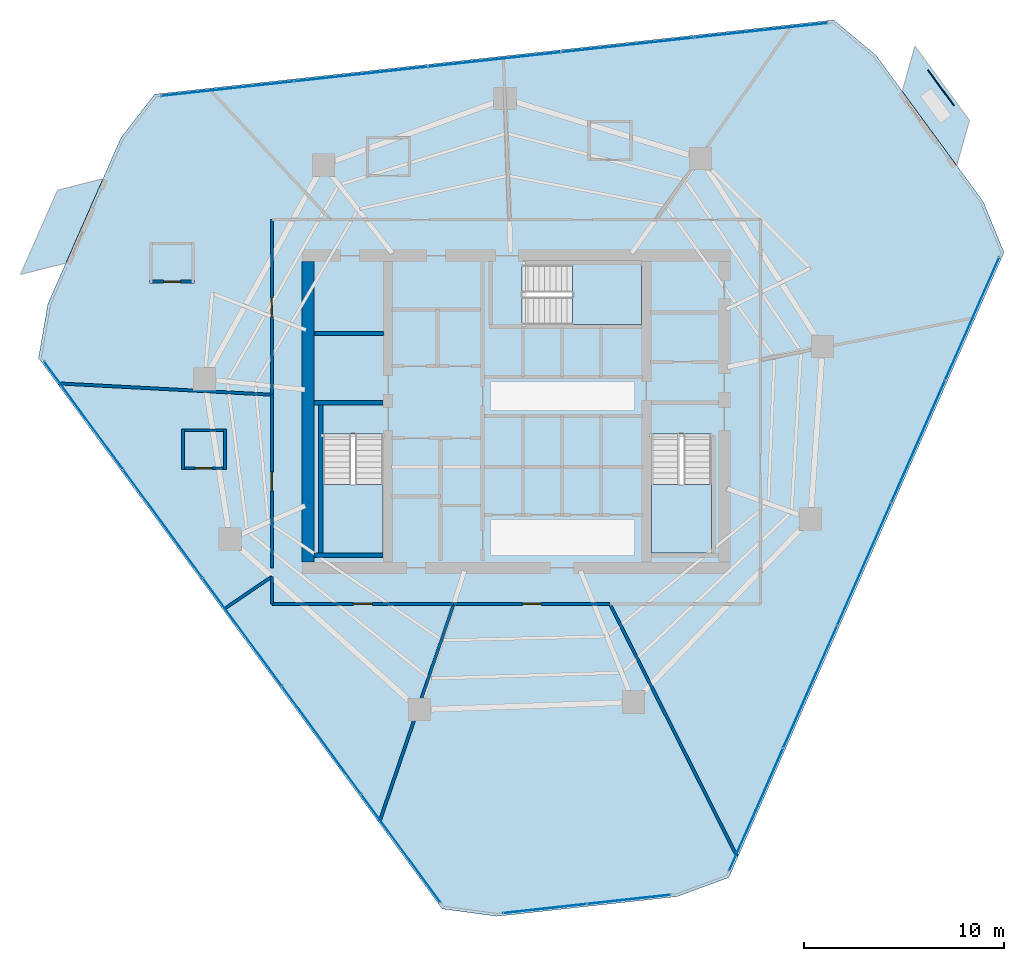
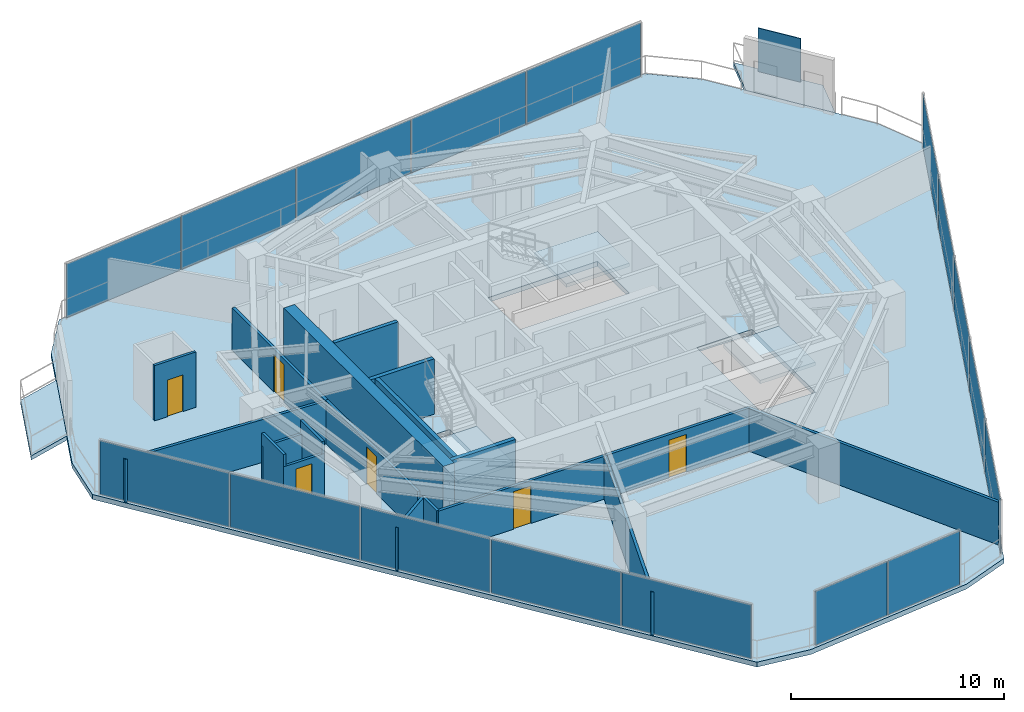
# One storey, part 24 of 30: 19 walls, 18 plates, 6 doors, 6 slabs, 6 openings, 7 elements without a shape of their own.
"""IFC4 building model written with IfcOpenShell, lengths in metres."""

import ifcopenshell
import ifcopenshell.guid

model = None  # the IFC model being written
_history = None  # IfcOwnerHistory: only IFC2X3 demands one
_inside = {}  # id of a spatial element -> (the spatial element, [elements in it])
_under = {}  # id of a project, library or spatial element -> (it, [spatial elements below it])
_declared = {}  # id of a project -> (the project, [libraries it declares])
_typed = {}  # id of a type object -> (the type object, [elements of that type])
_made_of = {}  # id of a material, layer set ... -> (it, [elements and type objects made of it])


def new_model(schema):
    """Start an empty IFC model of exactly this schema.

    Asked for "IFC4X3", IfcOpenShell would pick the latest addendum, in which some entities
    have other attributes; the version numbers below select the first issue.
    IFC2X3 requires an IfcOwnerHistory on every rooted entity: one is made here for all.
    """
    global model, _history
    if schema == "IFC4X3":
        model = ifcopenshell.file(schema_version=(4, 3, 0, 0))
    else:
        model = ifcopenshell.file(schema=schema)
    _inside.clear()
    _under.clear()
    _declared.clear()
    _typed.clear()
    _made_of.clear()
    _history = None
    if model.schema == "IFC2X3":
        org = make("IfcOrganization", Name="unknown")
        user = make(
            "IfcPersonAndOrganization",
            ThePerson=make("IfcPerson", FamilyName="unknown"),
            TheOrganization=org,
        )
        app = make(
            "IfcApplication",
            ApplicationDeveloper=org,
            Version="unknown",
            ApplicationFullName="unknown",
            ApplicationIdentifier="unknown",
        )
        _history = make(
            "IfcOwnerHistory",
            OwningUser=user,
            OwningApplication=app,
            ChangeAction="ADDED",
            CreationDate=0,
        )
    return model


def make(cls, **values):
    """One entity of the class cls with the attributes given. An attribute that is None is left unset."""
    return model.create_entity(
        cls, **{name: value for name, value in values.items() if value is not None}
    )


def rooted(cls, **values):
    """An entity with a GlobalId (a new one), such as an element, a storey or a relation."""
    return make(cls, GlobalId=ifcopenshell.guid.new(), OwnerHistory=_history, **values)


def si_unit(unit_type, name, prefix=None):
    """IfcSIUnit, for example si_unit("LENGTHUNIT", "METRE", prefix="MILLI")."""
    return make("IfcSIUnit", UnitType=unit_type, Prefix=prefix, Name=name)


def assignment(units):
    """IfcUnitAssignment: the units of a project."""
    return None if units is None else make("IfcUnitAssignment", Units=units)


def point(xyz):
    """IfcCartesianPoint."""
    return None if xyz is None else make("IfcCartesianPoint", Coordinates=xyz)


def direction(xyz):
    """IfcDirection."""
    return None if xyz is None else make("IfcDirection", DirectionRatios=xyz)


def frame(location, z_axis=None, x_axis=None):
    """IfcAxis2Placement3D, a coordinate frame: its origin and axes. An axis left out is left unset."""
    return make(
        "IfcAxis2Placement3D",
        Location=point(location),
        Axis=direction(z_axis),
        RefDirection=direction(x_axis),
    )


def frame_2d(location, x_axis=None):
    """IfcAxis2Placement2D, a coordinate frame in the plane: its origin and x axis."""
    return make(
        "IfcAxis2Placement2D", Location=point(location), RefDirection=direction(x_axis)
    )


def origin():
    """The frame at (0, 0, 0) with its axes left unset."""
    return frame((0.0, 0.0, 0.0))


def origin_2d():
    """The frame at (0, 0) in the plane with its x axis left unset."""
    return frame_2d((0.0, 0.0))


def place(relative_to, where):
    """IfcLocalPlacement: puts the frame where relative to a parent placement (None: the world)."""
    return make(
        "IfcLocalPlacement", PlacementRelTo=relative_to, RelativePlacement=where
    )


def context(
    kind, dimensions, precision=None, world=None, true_north=None, identifier=None
):
    """IfcGeometricRepresentationContext, for example the 3D "Model" context."""
    return make(
        "IfcGeometricRepresentationContext",
        ContextIdentifier=identifier,
        ContextType=kind,
        CoordinateSpaceDimension=dimensions,
        Precision=precision,
        WorldCoordinateSystem=world,
        TrueNorth=true_north,
    )


def subcontext(parent, identifier, kind, view, scale=None):
    """IfcGeometricRepresentationSubContext, for example "Body" below "Model"."""
    return make(
        "IfcGeometricRepresentationSubContext",
        ContextIdentifier=identifier,
        ContextType=kind,
        ParentContext=parent,
        TargetScale=scale,
        TargetView=view,
    )


def project(units=None, contexts=None):
    """IfcProject with its units and contexts."""
    return rooted(
        "IfcProject",
        Name="project",
        RepresentationContexts=contexts,
        UnitsInContext=assignment(units),
    )


def spatial(cls, under=None, at=None, **own):
    """A site, building, storey or space (cls), placed at a placement, below another one or the project."""
    s = rooted(cls, ObjectPlacement=at, **own)
    if under is not None:
        _under.setdefault(under.id(), (under, []))[1].append(s)
    return s


def polyline(points):
    """IfcPolyline through the points."""
    return make("IfcPolyline", Points=[point(p) for p in points])


def profile(cls, at=None, kind="AREA", **sizes):
    """A parametric profile (cls). Its sizes go by their IFC names, for example OverallWidth=200.0."""
    return make(cls, ProfileType=kind, Position=at, **sizes)


def rectangle(**sizes):
    """IfcRectangleProfileDef."""
    return profile("IfcRectangleProfileDef", **sizes)


def outline(outer, holes=None, kind="AREA"):
    """IfcArbitraryClosedProfileDef: a profile drawn as a closed curve; with holes, ...WithVoids."""
    if holes is None:
        return make("IfcArbitraryClosedProfileDef", ProfileType=kind, OuterCurve=outer)
    return make(
        "IfcArbitraryProfileDefWithVoids",
        ProfileType=kind,
        OuterCurve=outer,
        InnerCurves=holes,
    )


def extrude(swept, where, along, depth):
    """IfcExtrudedAreaSolid: the profile swept, set in the frame where, extruded along a direction by depth."""
    return make(
        "IfcExtrudedAreaSolid",
        SweptArea=swept,
        Position=where,
        ExtrudedDirection=direction(along),
        Depth=depth,
    )


def shape(context_of_items, identifier, shape_type, items):
    """IfcShapeRepresentation: the items that make up one representation, for example the "Body"."""
    return make(
        "IfcShapeRepresentation",
        ContextOfItems=context_of_items,
        RepresentationIdentifier=identifier,
        RepresentationType=shape_type,
        Items=items,
    )


def material(Name=None, Category=None):
    """IfcMaterial."""
    return make("IfcMaterial", Name=Name, Category=Category)


def layer(
    of_material, thickness, ventilated=None, Name=None, Category=None, Priority=None
):
    """IfcMaterialLayer: one layer of a wall or slab, of a material (None: an air gap)."""
    return make(
        "IfcMaterialLayer",
        Material=of_material,
        LayerThickness=thickness,
        IsVentilated=ventilated,
        Name=Name,
        Category=Category,
        Priority=Priority,
    )


def layer_set(layers, Name=None):
    """IfcMaterialLayerSet."""
    return make("IfcMaterialLayerSet", MaterialLayers=layers, LayerSetName=Name)


def made_of(thing, what):
    """Note that an element or type object is made of a material, layer set ...; save() writes the relation."""
    if what is not None:
        _made_of.setdefault(what.id(), (what, []))[1].append(thing)
    return thing


def type_object(cls, material=None, **own):
    """A type object (cls), such as IfcWallType, which elements share."""
    return made_of(rooted(cls, **own), material)


def element(
    cls,
    number,
    at=None,
    inside=None,
    cuts=None,
    type_object=None,
    material=None,
    context=None,
    identifier="Body",
    shape_type=None,
    held_by="IfcProductDefinitionShape",
    body=None,
    shapes=None,
    **own,
):
    """One element of the class cls, such as IfcWall. Its Tag is "e" and its number.

    at: its placement. inside: the storey or other place that contains it. cuts: it is an
    opening in that element (IfcRelVoidsElement). A single representation is given by context,
    identifier, shape_type and body (its items); several are given by shapes. held_by: the class
    of the entity that holds the representations. save() writes the other relations.
    """
    e = rooted(cls, Tag="e%d" % number, ObjectPlacement=at, **own)
    if body is not None:
        shapes = [shape(context, identifier, shape_type, body)]
    if shapes is not None:
        e.Representation = make(held_by, Representations=shapes)
    if inside is not None:
        _inside.setdefault(inside.id(), (inside, []))[1].append(e)
    if cuts is not None:
        rooted(
            "IfcRelVoidsElement", RelatingBuildingElement=cuts, RelatedOpeningElement=e
        )
    if type_object is not None:
        _typed.setdefault(type_object.id(), (type_object, []))[1].append(e)
    return made_of(e, material)


def fill(opening, filler):
    """IfcRelFillsElement: the door or window that sits in an opening."""
    return rooted(
        "IfcRelFillsElement",
        RelatingOpeningElement=opening,
        RelatedBuildingElement=filler,
    )


def aggregate(whole, parts):
    """IfcRelAggregates: a whole, such as a stair, and the parts it consists of."""
    return rooted("IfcRelAggregates", RelatingObject=whole, RelatedObjects=parts)


def save(model, path):
    """Write the relations noted so far, then the file.

    IfcRelAggregates (storeys below a building ...), IfcRelContainedInSpatialStructure (elements
    in a storey), IfcRelDefinesByType, IfcRelAssociatesMaterial and IfcRelDeclares: one each for
    every whole, place, type object, material and project.
    """
    for whole, parts in _under.values():
        aggregate(whole, parts)
    for where, things in _inside.values():
        rooted(
            "IfcRelContainedInSpatialStructure",
            RelatedElements=things,
            RelatingStructure=where,
        )
    for kind, things in _typed.values():
        rooted("IfcRelDefinesByType", RelatedObjects=things, RelatingType=kind)
    for what, things in _made_of.values():
        rooted("IfcRelAssociatesMaterial", RelatedObjects=things, RelatingMaterial=what)
    for by, libraries in _declared.values():
        rooted("IfcRelDeclares", RelatingContext=by, RelatedDefinitions=libraries)
    model.write(path)


model = new_model("IFC4")

# Units and contexts
model_context = context("Model", 3, precision=1e-05, world=origin(), true_north=direction((0.0, 1.0)))
body_context = subcontext(model_context, "Body", "Model", "MODEL_VIEW")
ifc_project = project(units=[si_unit("LENGTHUNIT", "METRE"), si_unit("AREAUNIT", "SQUARE_METRE"), si_unit("VOLUMEUNIT", "CUBIC_METRE"), si_unit("PLANEANGLEUNIT", "RADIAN"), si_unit("MASSUNIT", "GRAM", prefix="KILO")], contexts=[model_context])

# Site, building, storey
site_placement = place(None, origin())
site = spatial("IfcSite", under=ifc_project, at=site_placement, CompositionType="ELEMENT")
building_placement = place(site_placement, origin())
building = spatial("IfcBuilding", under=site, at=building_placement, Name="Qarnah Convention Tower", CompositionType="ELEMENT")
storey_placement = place(building_placement, frame((0.0, 0.0, 90.14990234375)))
storey = spatial("IfcBuildingStorey", under=building, at=storey_placement, Name="L23", CompositionType="ELEMENT", Elevation=90.14990234375)

# Curtain wall, plates
ifc_material_1 = material(Name="Tempered Low-E dark glass", Category="glass")
ifc_layer_1 = layer(ifc_material_1, 0.169921875)
ifc_layer_set_1 = layer_set([ifc_layer_1], Name="Tempered Low-E dark glass")
curtain_wall_type = type_object("IfcCurtainWallType", Name="CWS-02", PredefinedType="NOTDEFINED", material=ifc_layer_set_1)
curtain_wall_1_placement = place(storey_placement, origin())
curtain_wall_1 = element("IfcCurtainWall", 1, at=curtain_wall_1_placement, inside=storey, type_object=curtain_wall_type, Name="L23 unitised curtain wall CW-L23-F1", PredefinedType="NOTDEFINED")
ifc_layer_2 = layer(ifc_material_1, 0.030029296875)
ifc_layer_set_2 = layer_set([ifc_layer_2], Name="Tempered Low-E dark glass")
plate_type_1 = type_object("IfcPlateType", Name="PNL-T2", PredefinedType="CURTAIN_PANEL", material=ifc_layer_set_2)
plate_1_placement = place(storey_placement, frame((22.786865234375, 42.542236328125, 0.0400390625), z_axis=(0.0, 0.0, 1.0), x_axis=(0.994075420686, 0.10869249279, 0.0)))
plate_1 = element("IfcPlate", 2, at=plate_1_placement, type_object=plate_type_1, Name="CW-L23-F1 curtain panel 1.1", PredefinedType="CURTAIN_PANEL", context=body_context, shape_type="SweptSolid", body=[
    extrude(rectangle(XDim=6.623291015625, YDim=0.030029296875, at=origin_2d()), origin(), (0.0, 0.0, 1.0), 3.090087890625),
])
plate_2_placement = place(storey_placement, frame((29.450439453125, 43.27099609375, 0.0400390625), z_axis=(0.0, 0.0, 1.0), x_axis=(0.994075420686, 0.10869249279, 0.0)))
plate_2 = element("IfcPlate", 3, at=plate_2_placement, type_object=plate_type_1, Name="CW-L23-F1 curtain panel 2.1", PredefinedType="CURTAIN_PANEL", context=body_context, shape_type="SweptSolid", body=[
    extrude(rectangle(XDim=6.623291015625, YDim=0.030029296875, at=origin_2d()), origin(), (0.0, 0.0, 1.0), 3.090087890625),
])
plate_3_placement = place(storey_placement, frame((36.114013671875, 43.99951171875, 0.0400390625), z_axis=(0.0, 0.0, 1.0), x_axis=(0.994075420686, 0.10869249279, 0.0)))
plate_3 = element("IfcPlate", 4, at=plate_3_placement, type_object=plate_type_1, Name="CW-L23-F1 curtain panel 3.1", PredefinedType="CURTAIN_PANEL", context=body_context, shape_type="SweptSolid", body=[
    extrude(rectangle(XDim=6.623291015625, YDim=0.030029296875, at=origin_2d()), origin(), (0.0, 0.0, 1.0), 3.090087890625),
])
plate_4_placement = place(storey_placement, frame((42.777587890625, 44.72802734375, 0.0400390625), z_axis=(0.0, 0.0, 1.0), x_axis=(0.994075420686, 0.10869249279, 0.0)))
plate_4 = element("IfcPlate", 5, at=plate_4_placement, type_object=plate_type_1, Name="CW-L23-F1 curtain panel 4.1", PredefinedType="CURTAIN_PANEL", context=body_context, shape_type="SweptSolid", body=[
    extrude(rectangle(XDim=6.623291015625, YDim=0.030029296875, at=origin_2d()), origin(), (0.0, 0.0, 1.0), 3.090087890625),
])
plate_5_placement = place(storey_placement, frame((49.441162109375, 45.456787109375, 0.0400390625), z_axis=(0.0, 0.0, 1.0), x_axis=(0.994075420686, 0.10869249279, 0.0)))
plate_5 = element("IfcPlate", 6, at=plate_5_placement, type_object=plate_type_1, Name="CW-L23-F1 curtain panel 5.1", PredefinedType="CURTAIN_PANEL", context=body_context, shape_type="SweptSolid", body=[
    extrude(rectangle(XDim=6.623291015625, YDim=0.030029296875, at=origin_2d()), origin(), (0.0, 0.0, 1.0), 3.090087890625),
])
aggregate(curtain_wall_1, [plate_1, plate_2, plate_3, plate_4, plate_5])

curtain_wall_2_placement = place(storey_placement, origin())
curtain_wall_2 = element("IfcCurtainWall", 7, at=curtain_wall_2_placement, inside=storey, type_object=curtain_wall_type, Name="L23 unitised curtain wall CW-L23-F2", PredefinedType="NOTDEFINED")
plate_6_placement = place(storey_placement, frame((59.989501953125, 31.064453125, 0.0400390625), z_axis=(0.0, 0.0, 1.0), x_axis=(-0.402913592041, -0.915238022237, 0.0)))
plate_6 = element("IfcPlate", 8, at=plate_6_placement, type_object=plate_type_1, Name="CW-L23-F2 curtain panel 1.1", PredefinedType="CURTAIN_PANEL", context=body_context, shape_type="SweptSolid", body=[
    extrude(rectangle(XDim=6.623291015625, YDim=0.030029296875, at=origin_2d()), origin(), (0.0, 0.0, 1.0), 3.090087890625),
])
plate_7_placement = place(storey_placement, frame((57.288818359375, 24.929443359375, 0.0400390625), z_axis=(0.0, 0.0, 1.0), x_axis=(-0.402913592041, -0.915238022237, 0.0)))
plate_7 = element("IfcPlate", 9, at=plate_7_placement, type_object=plate_type_1, Name="CW-L23-F2 curtain panel 2.1", PredefinedType="CURTAIN_PANEL", context=body_context, shape_type="SweptSolid", body=[
    extrude(rectangle(XDim=6.623291015625, YDim=0.030029296875, at=origin_2d()), origin(), (0.0, 0.0, 1.0), 3.090087890625),
])
plate_8_placement = place(storey_placement, frame((54.587890625, 18.79443359375, 0.0400390625), z_axis=(0.0, 0.0, 1.0), x_axis=(-0.402913592041, -0.915238022237, 0.0)))
plate_8 = element("IfcPlate", 10, at=plate_8_placement, type_object=plate_type_1, Name="CW-L23-F2 curtain panel 3.1", PredefinedType="CURTAIN_PANEL", context=body_context, shape_type="SweptSolid", body=[
    extrude(rectangle(XDim=6.623291015625, YDim=0.030029296875, at=origin_2d()), origin(), (0.0, 0.0, 1.0), 3.090087890625),
])
plate_9_placement = place(storey_placement, frame((51.88720703125, 12.659423828125, 0.0400390625), z_axis=(0.0, 0.0, 1.0), x_axis=(-0.402913592041, -0.915238022237, 0.0)))
plate_9 = element("IfcPlate", 11, at=plate_9_placement, type_object=plate_type_1, Name="CW-L23-F2 curtain panel 4.1", PredefinedType="CURTAIN_PANEL", context=body_context, shape_type="SweptSolid", body=[
    extrude(rectangle(XDim=6.623291015625, YDim=0.030029296875, at=origin_2d()), origin(), (0.0, 0.0, 1.0), 3.090087890625),
])
plate_10_placement = place(storey_placement, frame((49.186279296875, 6.5244140625, 0.0400390625), z_axis=(0.0, 0.0, 1.0), x_axis=(-0.402913592041, -0.915238022237, 0.0)))
plate_10 = element("IfcPlate", 12, at=plate_10_placement, type_object=plate_type_1, Name="CW-L23-F2 curtain panel 5.1", PredefinedType="CURTAIN_PANEL", context=body_context, shape_type="SweptSolid", body=[
    extrude(rectangle(XDim=6.623291015625, YDim=0.030029296875, at=origin_2d()), origin(), (0.0, 0.0, 1.0), 3.090087890625),
])
aggregate(curtain_wall_2, [plate_6, plate_7, plate_8, plate_9, plate_10])

curtain_wall_3_placement = place(storey_placement, origin())
curtain_wall_3 = element("IfcCurtainWall", 13, at=curtain_wall_3_placement, inside=storey, type_object=curtain_wall_type, Name="L23 unitised curtain wall CW-L23-F3", PredefinedType="NOTDEFINED")
plate_11_placement = place(storey_placement, frame((31.44775390625, 4.585205078125, 0.0400390625), z_axis=(0.0, 0.0, 1.0), x_axis=(-0.591160568734, 0.806553892789, 0.0)))
plate_11 = element("IfcPlate", 14, at=plate_11_placement, type_object=plate_type_1, Name="CW-L23-F3 curtain panel 1.1", PredefinedType="CURTAIN_PANEL", context=body_context, shape_type="SweptSolid", body=[
    extrude(rectangle(XDim=6.623046875, YDim=0.030029296875, at=origin_2d()), origin(), (0.0, 0.0, 1.0), 3.090087890625),
])
plate_12_placement = place(storey_placement, frame((27.485107421875, 9.99169921875, 0.0400390625), z_axis=(0.0, 0.0, 1.0), x_axis=(-0.591160568734, 0.806553892789, 0.0)))
plate_12 = element("IfcPlate", 15, at=plate_12_placement, type_object=plate_type_1, Name="CW-L23-F3 curtain panel 2.1", PredefinedType="CURTAIN_PANEL", context=body_context, shape_type="SweptSolid", body=[
    extrude(rectangle(XDim=6.623046875, YDim=0.030029296875, at=origin_2d()), origin(), (0.0, 0.0, 1.0), 3.090087890625),
])
plate_13_placement = place(storey_placement, frame((23.5224609375, 15.39794921875, 0.0400390625), z_axis=(0.0, 0.0, 1.0), x_axis=(-0.591160568734, 0.806553892789, 0.0)))
plate_13 = element("IfcPlate", 16, at=plate_13_placement, type_object=plate_type_1, Name="CW-L23-F3 curtain panel 3.1", PredefinedType="CURTAIN_PANEL", context=body_context, shape_type="SweptSolid", body=[
    extrude(rectangle(XDim=6.623046875, YDim=0.030029296875, at=origin_2d()), origin(), (0.0, 0.0, 1.0), 3.090087890625),
])
plate_14_placement = place(storey_placement, frame((19.559814453125, 20.804443359375, 0.0400390625), z_axis=(0.0, 0.0, 1.0), x_axis=(-0.591160568734, 0.806553892789, 0.0)))
plate_14 = element("IfcPlate", 17, at=plate_14_placement, type_object=plate_type_1, Name="CW-L23-F3 curtain panel 4.1", PredefinedType="CURTAIN_PANEL", context=body_context, shape_type="SweptSolid", body=[
    extrude(rectangle(XDim=6.623046875, YDim=0.030029296875, at=origin_2d()), origin(), (0.0, 0.0, 1.0), 3.090087890625),
])
plate_15_placement = place(storey_placement, frame((15.597412109375, 26.210693359375, 0.0400390625), z_axis=(0.0, 0.0, 1.0), x_axis=(-0.591160568734, 0.806553892789, 0.0)))
plate_15 = element("IfcPlate", 18, at=plate_15_placement, type_object=plate_type_1, Name="CW-L23-F3 curtain panel 5.1", PredefinedType="CURTAIN_PANEL", context=body_context, shape_type="SweptSolid", body=[
    extrude(rectangle(XDim=6.623046875, YDim=0.030029296875, at=origin_2d()), origin(), (0.0, 0.0, 1.0), 3.090087890625),
])
aggregate(curtain_wall_3, [plate_11, plate_12, plate_13, plate_14, plate_15])

curtain_wall_4_placement = place(storey_placement, origin())
curtain_wall_4 = element("IfcCurtainWall", 19, at=curtain_wall_4_placement, inside=storey, type_object=curtain_wall_type, Name="L23 unitised curtain wall CW-L23-F4", PredefinedType="NOTDEFINED")
plate_16_placement = place(storey_placement, frame((42.830078125, 2.0400390625, 0.0400390625), z_axis=(0.0, 0.0, 1.0), x_axis=(-0.994072489394, -0.108719298329, 0.0)))
plate_16 = element("IfcPlate", 20, at=plate_16_placement, type_object=plate_type_1, Name="CW-L23-F4 curtain panel 1.1", PredefinedType="CURTAIN_PANEL", context=body_context, shape_type="SweptSolid", body=[
    extrude(rectangle(XDim=4.151123046875, YDim=0.030029296875, at=origin_2d()), origin(), (0.0, 0.0, 1.0), 3.090087890625),
])
plate_17_placement = place(storey_placement, frame((38.6240234375, 1.580078125, 0.0400390625), z_axis=(0.0, 0.0, 1.0), x_axis=(-0.994072489394, -0.108719298329, 0.0)))
plate_17 = element("IfcPlate", 21, at=plate_17_placement, type_object=plate_type_1, Name="CW-L23-F4 curtain panel 2.1", PredefinedType="CURTAIN_PANEL", context=body_context, shape_type="SweptSolid", body=[
    extrude(rectangle(XDim=4.151123046875, YDim=0.030029296875, at=origin_2d()), origin(), (0.0, 0.0, 1.0), 3.090087890625),
])
aggregate(curtain_wall_4, [plate_16, plate_17])

# Plate
ifc_material_2 = material(Name="Black anodised aluminium", Category="aluminium")
ifc_layer_3 = layer(ifc_material_2, 0.044921875)
ifc_layer_set_3 = layer_set([ifc_layer_3], Name="Black anodised aluminium")
plate_type_2 = type_object("IfcPlateType", Name="SCR-BAL-18", PredefinedType="USERDEFINED", material=ifc_layer_set_3)
plate_18_placement = place(storey_placement, frame((58.4189453125, 42.5849609375, 0.0), z_axis=(0.0, 0.0, 1.0), x_axis=(0.59102388645, -0.806654055742, 0.0)))
element("IfcPlate", 22, at=plate_18_placement, inside=storey, type_object=plate_type_2, Name="L23 perforated desert solar screen BAL-L23-C1", ObjectType="SCREEN", PredefinedType="USERDEFINED", context=body_context, shape_type="SweptSolid", body=[
    extrude(rectangle(XDim=2.199951171875, YDim=0.044921875, at=origin_2d()), origin(), (0.0, 0.0, 1.0), 2.5),
])

# Slabs
ifc_material_3 = material(Name="Concrete C45/55", Category="concrete")
ifc_layer_4 = layer(ifc_material_3, 0.239990234375)
ifc_layer_set_4 = layer_set([ifc_layer_4], Name="Concrete C45/55")
slab_type_1 = type_object("IfcSlabType", Name="SLB-BAL-240", PredefinedType="USERDEFINED", material=ifc_layer_set_4)
slab_1_placement = place(storey_placement, frame((0.0, 0.0, -0.239990234375)))
element("IfcSlab", 23, at=slab_1_placement, inside=storey, type_object=slab_type_1, Name="L23 cantilevered balcony slab BAL-L23-C1", ObjectType="BALCONY", PredefinedType="USERDEFINED", context=body_context, shape_type="SweptSolid", body=[
    extrude(outline(polyline([(57.125, 44.6708984375), (59.843994140625, 40.9599609375), (59.20703125, 38.701904296875), (56.487060546875, 42.412109375), (57.125, 44.6708984375)])), origin(), (0.0, 0.0, 1.0), 0.239990234375),
])
slab_2_placement = place(storey_placement, frame((0.0, 0.0, -0.239990234375)))
element("IfcSlab", 24, at=slab_2_placement, inside=storey, type_object=slab_type_1, Name="L23 cantilevered balcony slab BAL-L23-C2", ObjectType="BALCONY", PredefinedType="USERDEFINED", context=body_context, shape_type="SweptSolid", body=[
    extrude(outline(polyline([(12.43603515625, 33.258056640625), (14.2900390625, 37.468994140625), (16.56298828125, 38.0458984375), (14.7099609375, 33.8359375), (12.43603515625, 33.258056640625)])), origin(), (0.0, 0.0, 1.0), 0.239990234375),
])

# Stair, slab
ifc_material_4 = material(Name="Concrete C50/60", Category="concrete")
stair_type = type_object("IfcStairType", Name="STR-HTL", PredefinedType="HALF_TURN_STAIR", material=ifc_material_4)
stair_1_placement = place(storey_placement, origin())
stair_1 = element("IfcStair", 25, at=stair_1_placement, inside=storey, type_object=stair_type, Name="L23 Core exit stair ST-1", PredefinedType="HALF_TURN_STAIR")
ifc_layer_5 = layer(ifc_material_4, 0.199951171875)
ifc_layer_set_5 = layer_set([ifc_layer_5], Name="Concrete C50/60")
slab_type_2 = type_object("IfcSlabType", Name="SLB-LANDING-200", PredefinedType="LANDING", material=ifc_layer_set_5)
slab_3_placement = place(storey_placement, frame((0.0, 0.0, 1.525146484375)))
slab_3 = element("IfcSlab", 26, at=slab_3_placement, type_object=slab_type_2, Name="ST-1 landing 1", PredefinedType="LANDING", context=body_context, shape_type="SweptSolid", body=[
    extrude(outline(polyline([(27.550048828125, 22.780029296875), (27.550048828125, 19.35009765625), (30.550048828125, 19.35009765625), (30.550048828125, 22.780029296875), (27.550048828125, 22.780029296875)])), origin(), (0.0, 0.0, 1.0), 0.199951171875),
])
aggregate(stair_1, [slab_3])

stair_2_placement = place(storey_placement, origin())
stair_2 = element("IfcStair", 27, at=stair_2_placement, inside=storey, type_object=stair_type, Name="L23 Core exit stair ST-2", PredefinedType="HALF_TURN_STAIR")
slab_4_placement = place(storey_placement, frame((0.0, 0.0, 1.525146484375)))
slab_4 = element("IfcSlab", 28, at=slab_4_placement, type_object=slab_type_2, Name="ST-2 landing 1", PredefinedType="LANDING", context=body_context, shape_type="SweptSolid", body=[
    extrude(outline(polyline([(43.949951171875, 22.780029296875), (43.949951171875, 19.35009765625), (46.949951171875, 19.35009765625), (46.949951171875, 22.780029296875), (43.949951171875, 22.780029296875)])), origin(), (0.0, 0.0, 1.0), 0.199951171875),
])
aggregate(stair_2, [slab_4])

stair_3_placement = place(storey_placement, origin())
stair_3 = element("IfcStair", 29, at=stair_3_placement, inside=storey, type_object=stair_type, Name="L23 Core exit stair ST-3", PredefinedType="HALF_TURN_STAIR")
slab_5_placement = place(storey_placement, frame((0.0, 0.0, 1.525146484375)))
slab_5 = element("IfcSlab", 30, at=slab_5_placement, type_object=slab_type_2, Name="ST-3 landing 1", PredefinedType="LANDING", context=body_context, shape_type="SweptSolid", body=[
    extrude(outline(polyline([(40.02001953125, 30.75), (43.449951171875, 30.75), (43.449951171875, 33.75), (40.02001953125, 33.75), (40.02001953125, 30.75)])), origin(), (0.0, 0.0, 1.0), 0.199951171875),
])
aggregate(stair_3, [slab_5])

# Slab
ifc_layer_6 = layer(ifc_material_3, 0.280029296875)
ifc_layer_set_6 = layer_set([ifc_layer_6], Name="Concrete C45/55")
slab_type_3 = type_object("IfcSlabType", Name="SLB-TWR-280", PredefinedType="FLOOR", material=ifc_layer_set_6)
slab_6_placement = place(storey_placement, frame((0.0, 0.0, -0.27978515625)))
element("IfcSlab", 31, at=slab_6_placement, inside=storey, type_object=slab_type_3, Name="L23 structural floor slab", PredefinedType="FLOOR", context=body_context, shape_type="SweptSolid", body=[
    extrude(outline(polyline([(53.05810546875, 45.972900390625), (19.14404296875, 42.264892578125), (17.458984375, 40.090087890625), (13.80810546875, 31.7958984375), (13.342041015625, 29.0849609375), (33.510009765625, 1.569091796875), (36.236083984375, 1.197998046875), (45.243896484375, 2.18310546875), (47.824951171875, 3.134033203125), (61.571044921875, 34.35791015625), (60.529052734375, 36.905029296875), (55.172119140625, 44.212890625), (53.05810546875, 45.972900390625)]), holes=[polyline([(27.550048828125, 25.300048828125), (27.550048828125, 19.35009765625), (30.550048828125, 19.35009765625), (30.550048828125, 25.300048828125), (27.550048828125, 25.300048828125)]), polyline([(43.949951171875, 25.300048828125), (43.949951171875, 19.35009765625), (46.949951171875, 19.35009765625), (46.949951171875, 25.300048828125), (43.949951171875, 25.300048828125)]), polyline([(37.5, 30.75), (43.449951171875, 30.75), (43.449951171875, 33.75), (37.5, 33.75), (37.5, 30.75)])]), origin(), (0.0, 0.0, 1.0), 0.27978515625),
])

# Walls
ifc_material_5 = material(Name="Concrete C60/75", Category="concrete")
ifc_layer_7 = layer(ifc_material_5, 0.60009765625)
ifc_layer_set_7 = layer_set([ifc_layer_7], Name="Concrete C60/75")
wall_type_1 = type_object("IfcWallType", Name="WL-CORE-600", PredefinedType="SHEAR", material=ifc_layer_set_7)
wall_1_placement = place(storey_placement, frame((26.800048828125, 18.89990234375, 0.0), z_axis=(0.0, 0.0, 1.0), x_axis=(0.0, 1.0, 0.0)))
element("IfcWall", 32, at=wall_1_placement, inside=storey, type_object=wall_type_1, Name="L23 core west shear wall", PredefinedType="SHEAR", context=body_context, shape_type="SweptSolid", body=[
    extrude(rectangle(XDim=15.0, YDim=0.60009765625, at=frame_2d((7.5, 0.0))), origin(), (0.0, 0.0, 1.0), 3.170166015625),
])
ifc_layer_8 = layer(ifc_material_3, 0.199951171875)
ifc_layer_set_8 = layer_set([ifc_layer_8], Name="Concrete C45/55")
wall_type_2 = type_object("IfcWallType", Name="WL-CORE-PART-200", PredefinedType="SOLIDWALL", material=ifc_layer_set_8)
wall_2_placement = place(storey_placement, frame((27.14990234375, 30.320068359375, 0.0), z_axis=(0.0, 0.0, 1.0), x_axis=(1.0, 0.0, 0.0)))
element("IfcWall", 33, at=wall_2_placement, inside=storey, type_object=wall_type_2, Name="L23 interior wall IW-L23-ELRN", PredefinedType="SOLIDWALL", context=body_context, shape_type="SweptSolid", body=[
    extrude(rectangle(XDim=3.4501953125, YDim=0.199951171875, at=frame_2d((1.72509765625, 0.0))), origin(), (0.0, 0.0, 1.0), 3.170166015625),
])
ifc_layer_9 = layer(ifc_material_5, 0.219970703125)
ifc_layer_set_9 = layer_set([ifc_layer_9], Name="Concrete C60/75")
wall_type_3 = type_object("IfcWallType", Name="WL-CORE-STAIR-220", PredefinedType="SHEAR", material=ifc_layer_set_9)
wall_3_placement = place(storey_placement, frame((27.10009765625, 26.860107421875, 0.0), z_axis=(0.0, 0.0, 1.0), x_axis=(1.0, 0.0, 0.0)))
element("IfcWall", 34, at=wall_3_placement, inside=storey, type_object=wall_type_3, Name="L23 stair shaft shear wall SW-L23-ST1N", PredefinedType="SHEAR", context=body_context, shape_type="SweptSolid", body=[
    extrude(rectangle(XDim=3.449951171875, YDim=0.219970703125, at=frame_2d((1.72509765625, 0.0))), origin(), (0.0, 0.0, 1.0), 3.170166015625),
])
wall_4_placement = place(storey_placement, frame((27.43994140625, 19.35009765625, 0.0), z_axis=(0.0, 0.0, 1.0), x_axis=(0.0, 1.0, 0.0)))
element("IfcWall", 35, at=wall_4_placement, inside=storey, type_object=wall_type_3, Name="L23 stair shaft shear wall SW-L23-ST1W", PredefinedType="SHEAR", context=body_context, shape_type="SweptSolid", body=[
    extrude(rectangle(XDim=7.39990234375, YDim=0.219970703125, at=frame_2d((3.699951171875, 0.0))), origin(), (0.0, 0.0, 1.0), 3.170166015625),
])
wall_5_placement = place(storey_placement, frame((27.10009765625, 19.239990234375, 0.0), z_axis=(0.0, 0.0, 1.0), x_axis=(1.0, 0.0, 0.0)))
element("IfcWall", 36, at=wall_5_placement, inside=storey, type_object=wall_type_3, Name="L23 stair shaft shear wall SW-L23-ST1S", PredefinedType="SHEAR", context=body_context, shape_type="SweptSolid", body=[
    extrude(rectangle(XDim=3.449951171875, YDim=0.219970703125, at=frame_2d((1.72509765625, 0.0))), origin(), (0.0, 0.0, 1.0), 3.170166015625),
])
ifc_material_6 = material(Name="Gypsum partition board")
ifc_layer_10 = layer(ifc_material_6, 0.14990234375)
ifc_layer_set_10 = layer_set([ifc_layer_10], Name="Gypsum partition board")
wall_type_4 = type_object("IfcWallType", Name="WL-SUITE-150", PredefinedType="PARTITIONING", material=ifc_layer_set_10)
wall_6_placement = place(storey_placement, frame((14.346923828125, 27.818115234375, 0.0), z_axis=(0.0, 0.0, 1.0), x_axis=(0.998595614267, -0.052979233345, 0.0)))
element("IfcWall", 37, at=wall_6_placement, inside=storey, type_object=wall_type_4, Name="L23 interior wall IW-L23-R-26", PredefinedType="PARTITIONING", context=body_context, shape_type="SweptSolid", body=[
    extrude(rectangle(XDim=10.66796875, YDim=0.14990234375, at=frame_2d((5.333984375, 0.0))), origin(), (0.0, 0.0, 1.0), 2.455078125),
])

# Wall, opening, door
wall_7_placement = place(storey_placement, frame((25.0, 27.2529296875, 0.0), z_axis=(0.0, 0.0, 1.0), x_axis=(0.0, 1.0, 0.0)))
wall_7 = element("IfcWall", 38, at=wall_7_placement, inside=storey, type_object=wall_type_4, Name="L23 interior wall IW-L23-R-27", PredefinedType="PARTITIONING", context=body_context, shape_type="SweptSolid", body=[
    extrude(rectangle(XDim=8.7470703125, YDim=0.14990234375, at=frame_2d((4.37353515625, 0.0))), origin(), (0.0, 0.0, 1.0), 2.455078125),
])
opening_1_placement = place(wall_7_placement, frame((3.89794921875, 0.0, 0.0)))
opening_1 = element("IfcOpeningElement", 39, at=opening_1_placement, cuts=wall_7, Name="Opening D-2321", PredefinedType="OPENING", context=body_context, shape_type="SweptSolid", body=[
    extrude(rectangle(XDim=0.949951171875, YDim=2.14990234375, at=frame_2d((0.47509765625, 1.074951171875))), frame((0.0, 0.0849609375, 0.0), z_axis=(0.0, -1.0, 0.0), x_axis=(1.0, 0.0, 0.0)), (0.0, 0.0, 1.0), 0.169921875),
])
ifc_material_7 = material(Name="Oak timber veneer", Category="wood")
door_type_1 = type_object("IfcDoorType", Name="DT-HOTEL-950", OperationType="NOTDEFINED", PredefinedType="DOOR", material=ifc_material_7)
door_1_placement = place(opening_1_placement, origin())
door_1 = element("IfcDoor", 40, at=door_1_placement, inside=storey, type_object=door_type_1, Name="Door D-2321", OperationType="SINGLE_SWING_LEFT", OverallHeight=2.14990234375, OverallWidth=0.949951171875, PredefinedType="DOOR", context=body_context, shape_type="SweptSolid", body=[
    extrude(rectangle(XDim=0.949951171875, YDim=2.14990234375, at=frame_2d((0.47509765625, 1.074951171875))), frame((0.0, 0.02490234375, 0.0), z_axis=(0.0, -1.0, 0.0), x_axis=(1.0, 0.0, 0.0)), (0.0, 0.0, 1.0), 0.050048828125),
])
fill(opening_1, door_1)

# Wall
wall_8_placement = place(storey_placement, frame((22.625, 16.554931640625, 0.0), z_axis=(0.0, 0.0, 1.0), x_axis=(0.826769975554, 0.562540138589, 0.0)))
element("IfcWall", 41, at=wall_8_placement, inside=storey, type_object=wall_type_4, Name="L23 interior wall IW-L23-R-30", PredefinedType="PARTITIONING", context=body_context, shape_type="SweptSolid", body=[
    extrude(rectangle(XDim=2.87255859375, YDim=0.14990234375, at=frame_2d((1.436279296875, 0.0))), origin(), (0.0, 0.0, 1.0), 2.455078125),
])

# Wall, opening, door
wall_9_placement = place(storey_placement, frame((25.0, 18.60009765625, 0.0), z_axis=(0.0, 0.0, 1.0), x_axis=(0.0, 1.0, 0.0)))
wall_9 = element("IfcWall", 42, at=wall_9_placement, inside=storey, type_object=wall_type_4, Name="L23 interior wall IW-L23-R-31", PredefinedType="PARTITIONING", context=body_context, shape_type="SweptSolid", body=[
    extrude(rectangle(XDim=8.65283203125, YDim=0.14990234375, at=frame_2d((4.326416015625, 0.0))), origin(), (0.0, 0.0, 1.0), 2.467041015625),
])
opening_2_placement = place(wall_9_placement, frame((3.85107421875, 0.0, 0.0)))
opening_2 = element("IfcOpeningElement", 43, at=opening_2_placement, cuts=wall_9, Name="Opening D-2323", PredefinedType="OPENING", context=body_context, shape_type="SweptSolid", body=[
    extrude(rectangle(XDim=0.949951171875, YDim=2.14990234375, at=frame_2d((0.47509765625, 1.074951171875))), frame((0.0, 0.0849609375, 0.0), z_axis=(0.0, -1.0, 0.0), x_axis=(1.0, 0.0, 0.0)), (0.0, 0.0, 1.0), 0.169921875),
])
door_2_placement = place(opening_2_placement, origin())
door_2 = element("IfcDoor", 44, at=door_2_placement, inside=storey, type_object=door_type_1, Name="Door D-2323", OperationType="SINGLE_SWING_LEFT", OverallHeight=2.14990234375, OverallWidth=0.949951171875, PredefinedType="DOOR", context=body_context, shape_type="SweptSolid", body=[
    extrude(rectangle(XDim=0.949951171875, YDim=2.14990234375, at=frame_2d((0.47509765625, 1.074951171875))), frame((0.0, 0.02490234375, 0.0), z_axis=(0.0, -1.0, 0.0), x_axis=(1.0, 0.0, 0.0)), (0.0, 0.0, 1.0), 0.050048828125),
])
fill(opening_2, door_2)

# Wall
wall_10_placement = place(storey_placement, frame((30.382080078125, 5.946044921875, 0.0), z_axis=(0.0, 0.0, 1.0), x_axis=(0.322575955172, 0.946543582274, 0.0)))
element("IfcWall", 45, at=wall_10_placement, inside=storey, type_object=wall_type_4, Name="L23 interior wall IW-L23-R-32", PredefinedType="PARTITIONING", context=body_context, shape_type="SweptSolid", body=[
    extrude(rectangle(XDim=11.467041015625, YDim=0.14990234375, at=frame_2d((5.7333984375, 0.0))), origin(), (0.0, 0.0, 1.0), 2.467041015625),
])

# Wall, opening, door
wall_11_placement = place(storey_placement, frame((34.0810546875, 16.800048828125, 0.0), z_axis=(0.0, 0.0, 1.0), x_axis=(-1.0, 0.0, 0.0)))
wall_11 = element("IfcWall", 46, at=wall_11_placement, inside=storey, type_object=wall_type_4, Name="L23 interior wall IW-L23-R-33", PredefinedType="PARTITIONING", context=body_context, shape_type="SweptSolid", body=[
    extrude(rectangle(XDim=9.0810546875, YDim=0.14990234375, at=frame_2d((4.54052734375, 0.0))), origin(), (0.0, 0.0, 1.0), 2.455078125),
])
opening_3_placement = place(wall_11_placement, frame((4.06591796875, 0.0, 0.0)))
opening_3 = element("IfcOpeningElement", 47, at=opening_3_placement, cuts=wall_11, Name="Opening D-2325", PredefinedType="OPENING", context=body_context, shape_type="SweptSolid", body=[
    extrude(rectangle(XDim=0.949951171875, YDim=2.14990234375, at=frame_2d((0.47509765625, 1.074951171875))), frame((0.0, 0.0849609375, 0.0), z_axis=(0.0, -1.0, 0.0), x_axis=(1.0, 0.0, 0.0)), (0.0, 0.0, 1.0), 0.169921875),
])
door_3_placement = place(opening_3_placement, origin())
door_3 = element("IfcDoor", 48, at=door_3_placement, inside=storey, type_object=door_type_1, Name="Door D-2325", OperationType="SINGLE_SWING_LEFT", OverallHeight=2.14990234375, OverallWidth=0.949951171875, PredefinedType="DOOR", context=body_context, shape_type="SweptSolid", body=[
    extrude(rectangle(XDim=0.949951171875, YDim=2.14990234375, at=frame_2d((0.47509765625, 1.074951171875))), frame((0.0, 0.02490234375, 0.0), z_axis=(0.0, -1.0, 0.0), x_axis=(1.0, 0.0, 0.0)), (0.0, 0.0, 1.0), 0.050048828125),
])
fill(opening_3, door_3)

# Walls
wall_12_placement = place(storey_placement, frame((25.0, 16.800048828125, 0.0), z_axis=(0.0, 0.0, 1.0), x_axis=(0.0, 1.0, 0.0)))
element("IfcWall", 49, at=wall_12_placement, inside=storey, type_object=wall_type_4, Name="L23 interior wall IW-L23-R-34", PredefinedType="PARTITIONING", context=body_context, shape_type="SweptSolid", body=[
    extrude(rectangle(XDim=1.370849609375, YDim=0.14990234375, at=frame_2d((0.685546875, 0.0))), origin(), (0.0, 0.0, 1.0), 2.455078125),
])
wall_13_placement = place(storey_placement, frame((48.22802734375, 4.200927734375, 0.0), z_axis=(0.0, 0.0, 1.0), x_axis=(-0.449842216377, 0.89310804518, 0.0)))
element("IfcWall", 50, at=wall_13_placement, inside=storey, type_object=wall_type_4, Name="L23 interior wall IW-L23-R-35", PredefinedType="PARTITIONING", context=body_context, shape_type="SweptSolid", body=[
    extrude(rectangle(XDim=14.10693359375, YDim=0.14990234375, at=frame_2d((7.053466796875, 0.0))), origin(), (0.0, 0.0, 1.0), 2.455078125),
])

# Wall, opening, door
wall_14_placement = place(storey_placement, frame((41.882080078125, 16.800048828125, 0.0), z_axis=(0.0, 0.0, 1.0), x_axis=(-1.0, 0.0, 0.0)))
wall_14 = element("IfcWall", 51, at=wall_14_placement, inside=storey, type_object=wall_type_4, Name="L23 interior wall IW-L23-R-36", PredefinedType="PARTITIONING", context=body_context, shape_type="SweptSolid", body=[
    extrude(rectangle(XDim=7.801025390625, YDim=0.14990234375, at=frame_2d((3.900390625, 0.0))), origin(), (0.0, 0.0, 1.0), 2.467041015625),
])
opening_4_placement = place(wall_14_placement, frame((3.425048828125, 0.0, 0.0)))
opening_4 = element("IfcOpeningElement", 52, at=opening_4_placement, cuts=wall_14, Name="Opening D-2326", PredefinedType="OPENING", context=body_context, shape_type="SweptSolid", body=[
    extrude(rectangle(XDim=0.949951171875, YDim=2.14990234375, at=frame_2d((0.47509765625, 1.074951171875))), frame((0.0, 0.0849609375, 0.0), z_axis=(0.0, -1.0, 0.0), x_axis=(1.0, 0.0, 0.0)), (0.0, 0.0, 1.0), 0.169921875),
])
door_4_placement = place(opening_4_placement, origin())
door_4 = element("IfcDoor", 53, at=door_4_placement, inside=storey, type_object=door_type_1, Name="Door D-2326", OperationType="SINGLE_SWING_RIGHT", OverallHeight=2.14990234375, OverallWidth=0.949951171875, PredefinedType="DOOR", context=body_context, shape_type="SweptSolid", body=[
    extrude(rectangle(XDim=0.949951171875, YDim=2.14990234375, at=frame_2d((0.47509765625, 1.074951171875))), frame((0.0, 0.02490234375, 0.0), z_axis=(0.0, -1.0, 0.0), x_axis=(1.0, 0.0, 0.0)), (0.0, 0.0, 1.0), 0.050048828125),
])
fill(opening_4, door_4)

ifc_layer_11 = layer(ifc_material_6, 0.139892578125)
ifc_layer_set_11 = layer_set([ifc_layer_11], Name="Gypsum partition board")
wall_type_5 = type_object("IfcWallType", Name="WL-WET-140", PredefinedType="PARTITIONING", material=ifc_layer_set_11)
wall_15_placement = place(storey_placement, frame((18.89111328125, 32.906982421875, 0.0), z_axis=(0.0, 0.0, 1.0), x_axis=(1.0, 0.0, 0.0)))
wall_15 = element("IfcWall", 54, at=wall_15_placement, inside=storey, type_object=wall_type_5, Name="L23 interior wall IW-L23-ENS03-1", PredefinedType="PARTITIONING", context=body_context, shape_type="SweptSolid", body=[
    extrude(rectangle(XDim=2.239990234375, YDim=0.139892578125, at=frame_2d((1.1201171875, 0.0))), origin(), (0.0, 0.0, 1.0), 3.170166015625),
])
opening_5_placement = place(wall_15_placement, frame((0.695068359375, 0.0, 0.0)))
opening_5 = element("IfcOpeningElement", 55, at=opening_5_placement, cuts=wall_15, Name="Opening D-2322", PredefinedType="OPENING", context=body_context, shape_type="SweptSolid", body=[
    extrude(rectangle(XDim=0.85009765625, YDim=2.10009765625, at=frame_2d((0.425048828125, 1.050048828125))), frame((0.0, 0.079833984375, 0.0), z_axis=(0.0, -1.0, 0.0), x_axis=(1.0, 0.0, 0.0)), (0.0, 0.0, 1.0), 0.159912109375),
])
door_type_2 = type_object("IfcDoorType", Name="DT-BATH-850", OperationType="NOTDEFINED", PredefinedType="DOOR", material=ifc_material_7)
door_5_placement = place(opening_5_placement, origin())
door_5 = element("IfcDoor", 56, at=door_5_placement, inside=storey, type_object=door_type_2, Name="Door D-2322", OperationType="SINGLE_SWING_RIGHT", OverallHeight=2.10009765625, OverallWidth=0.85009765625, PredefinedType="DOOR", context=body_context, shape_type="SweptSolid", body=[
    extrude(rectangle(XDim=0.85009765625, YDim=2.10009765625, at=frame_2d((0.425048828125, 1.050048828125))), frame((0.0, 0.02490234375, 0.0), z_axis=(0.0, -1.0, 0.0), x_axis=(1.0, 0.0, 0.0)), (0.0, 0.0, 1.0), 0.050048828125),
])
fill(opening_5, door_5)

wall_16_placement = place(storey_placement, frame((20.48193359375, 23.576904296875, 0.0), z_axis=(0.0, 0.0, 1.0), x_axis=(1.0, 0.0, 0.0)))
wall_16 = element("IfcWall", 57, at=wall_16_placement, inside=storey, type_object=wall_type_5, Name="L23 interior wall IW-L23-ENS04-1", PredefinedType="PARTITIONING", context=body_context, shape_type="SweptSolid", body=[
    extrude(rectangle(XDim=2.239990234375, YDim=0.139892578125, at=frame_2d((1.1201171875, 0.0))), origin(), (0.0, 0.0, 1.0), 2.455078125),
])
opening_6_placement = place(wall_16_placement, frame((0.695068359375, 0.0, 0.0)))
opening_6 = element("IfcOpeningElement", 58, at=opening_6_placement, cuts=wall_16, Name="Opening D-2324", PredefinedType="OPENING", context=body_context, shape_type="SweptSolid", body=[
    extrude(rectangle(XDim=0.85009765625, YDim=2.10009765625, at=frame_2d((0.425048828125, 1.050048828125))), frame((0.0, 0.079833984375, 0.0), z_axis=(0.0, -1.0, 0.0), x_axis=(1.0, 0.0, 0.0)), (0.0, 0.0, 1.0), 0.159912109375),
])
door_6_placement = place(opening_6_placement, origin())
door_6 = element("IfcDoor", 59, at=door_6_placement, inside=storey, type_object=door_type_2, Name="Door D-2324", OperationType="SINGLE_SWING_RIGHT", OverallHeight=2.10009765625, OverallWidth=0.85009765625, PredefinedType="DOOR", context=body_context, shape_type="SweptSolid", body=[
    extrude(rectangle(XDim=0.85009765625, YDim=2.10009765625, at=frame_2d((0.425048828125, 1.050048828125))), frame((0.0, 0.02490234375, 0.0), z_axis=(0.0, -1.0, 0.0), x_axis=(1.0, 0.0, 0.0)), (0.0, 0.0, 1.0), 0.050048828125),
])
fill(opening_6, door_6)

# Walls
wall_17_placement = place(storey_placement, frame((22.652099609375, 23.507080078125, 0.0), z_axis=(0.0, 0.0, 1.0), x_axis=(0.0, 1.0, 0.0)))
element("IfcWall", 60, at=wall_17_placement, inside=storey, type_object=wall_type_5, Name="L23 interior wall IW-L23-ENS04-2", PredefinedType="PARTITIONING", context=body_context, shape_type="SweptSolid", body=[
    extrude(rectangle(XDim=2.0400390625, YDim=0.139892578125, at=frame_2d((1.02001953125, 0.0))), origin(), (0.0, 0.0, 1.0), 3.170166015625),
])
wall_18_placement = place(storey_placement, frame((22.721923828125, 25.47705078125, 0.0), z_axis=(0.0, 0.0, 1.0), x_axis=(-1.0, 0.0, 0.0)))
element("IfcWall", 61, at=wall_18_placement, inside=storey, type_object=wall_type_5, Name="L23 interior wall IW-L23-ENS04-3", PredefinedType="PARTITIONING", context=body_context, shape_type="SweptSolid", body=[
    extrude(rectangle(XDim=2.239990234375, YDim=0.139892578125, at=frame_2d((1.1201171875, 0.0))), origin(), (0.0, 0.0, 1.0), 2.455078125),
])
wall_19_placement = place(storey_placement, frame((20.552001953125, 25.547119140625, 0.0), z_axis=(0.0, 0.0, 1.0), x_axis=(0.0, -1.0, 0.0)))
element("IfcWall", 62, at=wall_19_placement, inside=storey, type_object=wall_type_5, Name="L23 interior wall IW-L23-ENS04-4", PredefinedType="PARTITIONING", context=body_context, shape_type="SweptSolid", body=[
    extrude(rectangle(XDim=2.0400390625, YDim=0.139892578125, at=frame_2d((1.02001953125, 0.0))), origin(), (0.0, 0.0, 1.0), 3.170166015625),
])

save(model, "model.ifc")
